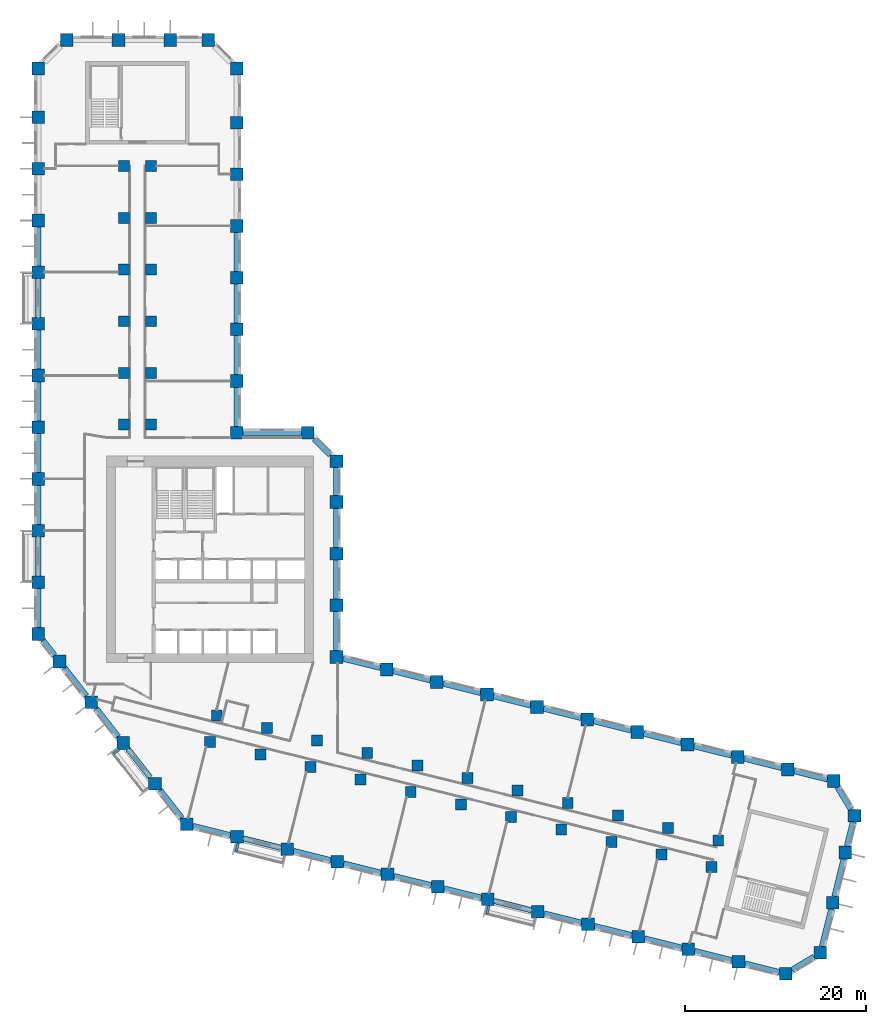
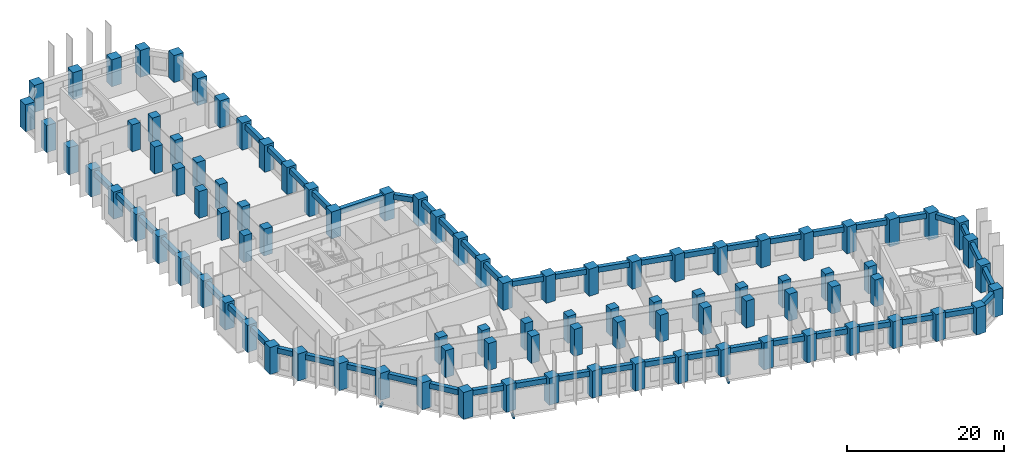
# One storey, part 1 of 12: 95 columns, 53 beams.
"""IFC4 building model written with IfcOpenShell, lengths in metres."""

from ifc_helpers import new_model, si_unit, direction, frame, origin, origin_2d, place, context, subcontext, project, spatial, rectangle, extrude, material, material_profile, profile_set, type_object, element, save


model = new_model("IFC4")

# Units and contexts
model_context = context("Model", 3, precision=1e-05, world=origin(), true_north=direction((0.0, 1.0)))
body_context = subcontext(model_context, "Body", "Model", "MODEL_VIEW")
ifc_project = project(units=[si_unit("LENGTHUNIT", "METRE"), si_unit("AREAUNIT", "SQUARE_METRE"), si_unit("VOLUMEUNIT", "CUBIC_METRE"), si_unit("PLANEANGLEUNIT", "RADIAN"), si_unit("MASSUNIT", "GRAM", prefix="KILO")], contexts=[model_context])

# Site, building, storey
site_placement = place(None, origin())
site = spatial("IfcSite", under=ifc_project, at=site_placement, CompositionType="ELEMENT")
building_placement = place(site_placement, origin())
building = spatial("IfcBuilding", under=site, at=building_placement, Name="Meshkara Civic Tower", CompositionType="ELEMENT")
storey_placement = place(building_placement, frame((0.0, 0.0, 83.39990234375)))
storey = spatial("IfcBuildingStorey", under=building, at=storey_placement, Name="L18", CompositionType="ELEMENT", Elevation=83.39990234375)

# Columns
ifc_material_1 = material(Name="Concrete C80", Category="concrete")
ifc_material_profile_1 = material_profile(ifc_material_1, rectangle(XDim=1.199951171875, YDim=1.199951171875, at=origin_2d()))
ifc_profile_set_1 = profile_set([ifc_material_profile_1], Name="Concrete C80")
column_type_1 = type_object("IfcColumnType", Name="Interior column RC 1200x1200 C80", PredefinedType="COLUMN", material=ifc_profile_set_1)
for number, where, z_axis, x_axis, name in (
    (1, (9.89990234375, 40.35009765625, 0.0), (0.0, 0.0, 1.0), (1.0, 0.0, 0.0), "Column SA1-04 L18"),
    (2, (9.89990234375, 46.050048828125, 0.0), (0.0, 0.0, 1.0), (1.0, 0.0, 0.0), "Column SA1-05 L18"),
    (3, (9.89990234375, 51.75, 0.0), (0.0, 0.0, 1.0), (1.0, 0.0, 0.0), "Column SA1-06 L18"),
    (4, (9.89990234375, 57.449951171875, 0.0), (0.0, 0.0, 1.0), (1.0, 0.0, 0.0), "Column SA1-07 L18"),
    (5, (9.89990234375, 63.14990234375, 0.0), (0.0, 0.0, 1.0), (1.0, 0.0, 0.0), "Column SA1-08 L18"),
    (6, (9.89990234375, 68.85009765625, 0.0), (0.0, 0.0, 1.0), (1.0, 0.0, 0.0), "Column SA1-09 L18"),
    (7, (12.89990234375, 40.35009765625, 0.0), (0.0, 0.0, 1.0), (1.0, 0.0, 0.0), "Column SA2-04 L18"),
    (8, (12.89990234375, 46.050048828125, 0.0), (0.0, 0.0, 1.0), (1.0, 0.0, 0.0), "Column SA2-05 L18"),
    (9, (12.89990234375, 51.75, 0.0), (0.0, 0.0, 1.0), (1.0, 0.0, 0.0), "Column SA2-06 L18"),
    (10, (12.89990234375, 57.449951171875, 0.0), (0.0, 0.0, 1.0), (1.0, 0.0, 0.0), "Column SA2-07 L18"),
    (11, (12.89990234375, 63.14990234375, 0.0), (0.0, 0.0, 1.0), (1.0, 0.0, 0.0), "Column SA2-08 L18"),
    (12, (12.89990234375, 68.85009765625, 0.0), (0.0, 0.0, 1.0), (1.0, 0.0, 0.0), "Column SA2-09 L18"),
    (13, (19.424072265625, 5.360107421875, 0.0), (0.0, 0.0, 1.0), (1.0, 0.0, 0.0), "Column SB1-00 L18"),
    (14, (24.9541015625, 3.98095703125, 0.0), (0.0, 0.0, 1.0), (1.0, 0.0, 0.0), "Column SB1-01 L18"),
    (15, (30.485107421875, 2.60205078125, 0.0), (0.0, 0.0, 1.0), (1.0, 0.0, 0.0), "Column SB1-02 L18"),
    (16, (36.01611328125, 1.222900390625, 0.0), (0.0, 0.0, 1.0), (1.0, 0.0, 0.0), "Column SB1-03 L18"),
    (17, (41.5458984375, -0.156005859375, 0.0), (0.0, 0.0, 1.0), (1.0, 0.0, 0.0), "Column SB1-04 L18"),
    (18, (47.076904296875, -1.534912109375, 0.0), (0.0, 0.0, 1.0), (1.0, 0.0, 0.0), "Column SB1-05 L18"),
    (19, (52.60791015625, -2.9140625, 0.0), (0.0, 0.0, 1.0), (1.0, 0.0, 0.0), "Column SB1-06 L18"),
    (20, (58.138916015625, -4.2919921875, 0.0), (0.0, 0.0, 1.0), (1.0, 0.0, 0.0), "Column SB1-07 L18"),
    (21, (63.6689453125, -5.6708984375, 0.0), (0.0, 0.0, 1.0), (1.0, 0.0, 0.0), "Column SB1-08 L18"),
    (22, (69.199951171875, -7.050048828125, 0.0), (0.0, 0.0, 1.0), (1.0, 0.0, 0.0), "Column SB1-09 L18"),
    (23, (74.73095703125, -8.428955078125, 0.0), (0.0, 0.0, 1.0), (1.0, 0.0, 0.0), "Column SB1-10 L18"),
    (24, (20.14892578125, 8.27099609375, 0.0), (0.0, 0.0, 1.0), (1.0, 0.0, 0.0), "Column SB2-00 L18"),
    (25, (25.679931640625, 6.89208984375, 0.0), (0.0, 0.0, 1.0), (1.0, 0.0, 0.0), "Column SB2-01 L18"),
    (26, (31.2109375, 5.512939453125, 0.0), (0.0, 0.0, 1.0), (1.0, 0.0, 0.0), "Column SB2-02 L18"),
    (27, (36.741943359375, 4.134033203125, 0.0), (0.0, 0.0, 1.0), (1.0, 0.0, 0.0), "Column SB2-03 L18"),
    (28, (42.27197265625, 2.7548828125, 0.0), (0.0, 0.0, 1.0), (1.0, 0.0, 0.0), "Column SB2-04 L18"),
    (29, (47.802978515625, 1.3759765625, 0.0), (0.0, 0.0, 1.0), (1.0, 0.0, 0.0), "Column SB2-05 L18"),
    (30, (53.333984375, -0.0029296875, 0.0), (0.0, 0.0, 1.0), (1.0, 0.0, 0.0), "Column SB2-06 L18"),
    (31, (58.864013671875, -1.382080078125, 0.0), (0.0, 0.0, 1.0), (1.0, 0.0, 0.0), "Column SB2-07 L18"),
    (32, (64.39501953125, -2.760986328125, 0.0), (0.0, 0.0, 1.0), (1.0, 0.0, 0.0), "Column SB2-08 L18"),
    (33, (69.926025390625, -4.139892578125, 0.0), (0.0, 0.0, 1.0), (1.0, 0.0, 0.0), "Column SB2-09 L18"),
    (34, (75.4560546875, -5.51806640625, 0.0), (0.0, 0.0, 1.0), (1.0, 0.0, 0.0), "Column SB2-10 L18"),
):
    element("IfcColumn", number, at=place(storey_placement, frame(where, z_axis=z_axis, x_axis=x_axis)), inside=storey, type_object=column_type_1, Name=name, PredefinedType="COLUMN", context=body_context, shape_type="SweptSolid", body=[
        extrude(rectangle(XDim=1.199951171875, YDim=1.199951171875, at=origin_2d()), origin(), (0.0, 0.0, 1.0), 4.2001953125),
    ])
ifc_material_2 = material(Name="Concrete C80", Category="concrete")
ifc_material_profile_2 = material_profile(ifc_material_2, rectangle(XDim=1.39990234375, YDim=1.39990234375, at=origin_2d()))
ifc_profile_set_2 = profile_set([ifc_material_profile_2], Name="Concrete C80")
column_type_2 = type_object("IfcColumnType", Name="Perimeter column RC 1400x1400 C80", PredefinedType="COLUMN", material=ifc_profile_set_2)
for number, where, z_axis, x_axis, name in (
    (35, (33.35009765625, 14.718994140625, 0.0), (0.0, 0.0, 1.0), (1.0, 0.0, 0.0), "Column HE00 L18"),
    (36, (33.35009765625, 20.4189453125, 0.0), (0.0, 0.0, 1.0), (1.0, 0.0, 0.0), "Column HE01 L18"),
    (37, (33.35009765625, 26.118896484375, 0.0), (0.0, 0.0, 1.0), (1.0, 0.0, 0.0), "Column HE02 L18"),
    (38, (33.35009765625, 31.819091796875, 0.0), (0.0, 0.0, 1.0), (1.0, 0.0, 0.0), "Column HE03 L18"),
    (39, (33.35009765625, 36.2939453125, 0.0), (0.0, 0.0, 1.0), (1.0, 0.0, 0.0), "Column HEE L18"),
    (40, (30.194091796875, 39.449951171875, 0.0), (0.0, 0.0, 1.0), (1.0, 0.0, 0.0), "Column HCeE L18"),
    (41, (22.35009765625, 39.449951171875, 0.0), (0.0, 0.0, 1.0), (1.0, 0.0, 0.0), "Column HN00 L18"),
    (42, (22.35009765625, 45.14990234375, 0.0), (0.0, 0.0, 1.0), (1.0, 0.0, 0.0), "Column AE01 L18"),
    (43, (22.35009765625, 50.85009765625, 0.0), (0.0, 0.0, 1.0), (1.0, 0.0, 0.0), "Column AE02 L18"),
    (44, (22.35009765625, 56.550048828125, 0.0), (0.0, 0.0, 1.0), (1.0, 0.0, 0.0), "Column AE03 L18"),
    (45, (22.35009765625, 62.25, 0.0), (0.0, 0.0, 1.0), (1.0, 0.0, 0.0), "Column AE04 L18"),
    (46, (22.35009765625, 67.949951171875, 0.0), (0.0, 0.0, 1.0), (1.0, 0.0, 0.0), "Column AE05 L18"),
    (47, (22.35009765625, 73.64990234375, 0.0), (0.0, 0.0, 1.0), (1.0, 0.0, 0.0), "Column AE06 L18"),
    (48, (22.35009765625, 79.614013671875, 0.0), (0.0, 0.0, 1.0), (1.0, 0.0, 0.0), "Column AEE L18"),
    (49, (19.194091796875, 82.77001953125, 0.0), (0.0, 0.0, 1.0), (1.0, 0.0, 0.0), "Column ATiE L18"),
    (50, (3.60595703125, 82.77001953125, 0.0), (0.0, 0.0, 1.0), (1.0, 0.0, 0.0), "Column AT00 L18"),
    (51, (9.305908203125, 82.77001953125, 0.0), (0.0, 0.0, 1.0), (1.0, 0.0, 0.0), "Column AT01 L18"),
    (52, (15.006103515625, 82.77001953125, 0.0), (0.0, 0.0, 1.0), (1.0, 0.0, 0.0), "Column AT02 L18"),
    (53, (0.449951171875, 79.614013671875, 0.0), (0.0, 0.0, 1.0), (1.0, 0.0, 0.0), "Column ATo00 L18"),
    (54, (0.449951171875, 17.2548828125, 0.0), (0.0, 0.0, 1.0), (1.0, 0.0, 0.0), "Column AW00 L18"),
    (55, (0.449951171875, 22.955078125, 0.0), (0.0, 0.0, 1.0), (1.0, 0.0, 0.0), "Column AW01 L18"),
    (56, (0.449951171875, 28.655029296875, 0.0), (0.0, 0.0, 1.0), (1.0, 0.0, 0.0), "Column AW02 L18"),
    (57, (0.449951171875, 34.35498046875, 0.0), (0.0, 0.0, 1.0), (1.0, 0.0, 0.0), "Column AW03 L18"),
    (58, (0.449951171875, 40.054931640625, 0.0), (0.0, 0.0, 1.0), (1.0, 0.0, 0.0), "Column AW04 L18"),
    (59, (0.449951171875, 45.7548828125, 0.0), (0.0, 0.0, 1.0), (1.0, 0.0, 0.0), "Column AW05 L18"),
    (60, (0.449951171875, 51.455078125, 0.0), (0.0, 0.0, 1.0), (1.0, 0.0, 0.0), "Column AW06 L18"),
    (61, (0.449951171875, 57.155029296875, 0.0), (0.0, 0.0, 1.0), (1.0, 0.0, 0.0), "Column AW07 L18"),
    (62, (0.449951171875, 62.85498046875, 0.0), (0.0, 0.0, 1.0), (1.0, 0.0, 0.0), "Column AW08 L18"),
    (63, (0.449951171875, 68.554931640625, 0.0), (0.0, 0.0, 1.0), (1.0, 0.0, 0.0), "Column AW09 L18"),
    (64, (0.449951171875, 74.2548828125, 0.0), (0.0, 0.0, 1.0), (1.0, 0.0, 0.0), "Column AW10 L18"),
    (65, (16.85107421875, -3.738037109375, 0.0), (0.0, 0.0, 1.0), (1.0, 0.0, 0.0), "Column BOW00 L18"),
    (66, (13.342041015625, 0.75390625, 0.0), (0.0, 0.0, 1.0), (1.0, 0.0, 0.0), "Column BOW01 L18"),
    (67, (9.8330078125, 5.2451171875, 0.0), (0.0, 0.0, 1.0), (1.0, 0.0, 0.0), "Column BOW02 L18"),
    (68, (6.322998046875, 9.737060546875, 0.0), (0.0, 0.0, 1.0), (1.0, 0.0, 0.0), "Column BOW03 L18"),
    (69, (2.81396484375, 14.22900390625, 0.0), (0.0, 0.0, 1.0), (1.0, 0.0, 0.0), "Column BOW04 L18"),
    (70, (22.382080078125, -5.116943359375, 0.0), (0.0, 0.0, 1.0), (1.0, 0.0, 0.0), "Column BS01 L18"),
    (71, (27.912109375, -6.49609375, 0.0), (0.0, 0.0, 1.0), (1.0, 0.0, 0.0), "Column BS02 L18"),
    (72, (33.443115234375, -7.875, 0.0), (0.0, 0.0, 1.0), (1.0, 0.0, 0.0), "Column BS03 L18"),
    (73, (38.97412109375, -9.25390625, 0.0), (0.0, 0.0, 1.0), (1.0, 0.0, 0.0), "Column BS04 L18"),
    (74, (44.5048828125, -10.632080078125, 0.0), (0.0, 0.0, 1.0), (1.0, 0.0, 0.0), "Column BS05 L18"),
    (75, (50.034912109375, -12.010986328125, 0.0), (0.0, 0.0, 1.0), (1.0, 0.0, 0.0), "Column BS06 L18"),
    (76, (55.56591796875, -13.389892578125, 0.0), (0.0, 0.0, 1.0), (1.0, 0.0, 0.0), "Column BS07 L18"),
    (77, (61.096923828125, -14.76904296875, 0.0), (0.0, 0.0, 1.0), (1.0, 0.0, 0.0), "Column BS08 L18"),
    (78, (66.626953125, -16.14794921875, 0.0), (0.0, 0.0, 1.0), (1.0, 0.0, 0.0), "Column BS09 L18"),
    (79, (72.157958984375, -17.527099609375, 0.0), (0.0, 0.0, 1.0), (1.0, 0.0, 0.0), "Column BS10 L18"),
    (80, (77.68896484375, -18.906005859375, 0.0), (0.0, 0.0, 1.0), (1.0, 0.0, 0.0), "Column BS11 L18"),
    (81, (82.887939453125, -20.201904296875, 0.0), (0.0, 0.0, 1.0), (1.0, 0.0, 0.0), "Column BSE L18"),
    (82, (86.714111328125, -17.903076171875, 0.0), (0.0, 0.0, 1.0), (1.0, 0.0, 0.0), "Column BToE L18"),
    (83, (88.093017578125, -12.3720703125, 0.0), (0.0, 0.0, 1.0), (1.0, 0.0, 0.0), "Column BT01 L18"),
    (84, (89.471923828125, -6.842041015625, 0.0), (0.0, 0.0, 1.0), (1.0, 0.0, 0.0), "Column BT02 L18"),
    (85, (90.485107421875, -2.779052734375, 0.0), (0.0, 0.0, 1.0), (1.0, 0.0, 0.0), "Column BTE L18"),
    (86, (88.18603515625, 1.0458984375, 0.0), (0.0, 0.0, 1.0), (1.0, 0.0, 0.0), "Column BTi00 L18"),
    (87, (38.881103515625, 13.340087890625, 0.0), (0.0, 0.0, 1.0), (1.0, 0.0, 0.0), "Column BN01 L18"),
    (88, (44.410888671875, 11.9609375, 0.0), (0.0, 0.0, 1.0), (1.0, 0.0, 0.0), "Column BN02 L18"),
    (89, (49.94189453125, 10.58203125, 0.0), (0.0, 0.0, 1.0), (1.0, 0.0, 0.0), "Column BN03 L18"),
    (90, (55.472900390625, 9.202880859375, 0.0), (0.0, 0.0, 1.0), (1.0, 0.0, 0.0), "Column BN04 L18"),
    (91, (61.0029296875, 7.823974609375, 0.0), (0.0, 0.0, 1.0), (1.0, 0.0, 0.0), "Column BN05 L18"),
    (92, (66.533935546875, 6.445068359375, 0.0), (0.0, 0.0, 1.0), (1.0, 0.0, 0.0), "Column BN06 L18"),
    (93, (72.06494140625, 5.06591796875, 0.0), (0.0, 0.0, 1.0), (1.0, 0.0, 0.0), "Column BN07 L18"),
    (94, (77.594970703125, 3.68701171875, 0.0), (0.0, 0.0, 1.0), (1.0, 0.0, 0.0), "Column BN08 L18"),
    (95, (83.1259765625, 2.30810546875, 0.0), (0.0, 0.0, 1.0), (1.0, 0.0, 0.0), "Column BN09 L18"),
):
    element("IfcColumn", number, at=place(storey_placement, frame(where, z_axis=z_axis, x_axis=x_axis)), inside=storey, type_object=column_type_2, Name=name, PredefinedType="COLUMN", context=body_context, shape_type="SweptSolid", body=[
        extrude(rectangle(XDim=1.39990234375, YDim=1.39990234375, at=origin_2d()), origin(), (0.0, 0.0, 1.0), 4.2001953125),
    ])

# Beams
ifc_material_3 = material(Name="Concrete C50", Category="concrete")
ifc_material_profile_3 = material_profile(ifc_material_3, rectangle(XDim=0.25, YDim=0.39990234375, at=origin_2d()))
ifc_profile_set_3 = profile_set([ifc_material_profile_3], Name="Concrete C50")
beam_type_1 = type_object("IfcBeamType", Name="Balcony bracket beam RC 250x400 C50", PredefinedType="BEAM", material=ifc_profile_set_3)
beam_1_placement = place(storey_placement, frame((9.427978515625, 4.548095703125, -0.5), z_axis=(-0.787825958224, -0.615897929488, 0.0), x_axis=(0.615897929488, -0.787825958224, 0.0)))
element("IfcBeam", 96, at=beam_1_placement, inside=storey, type_object=beam_type_1, Name="Balcony bracket beam", PredefinedType="BEAM", context=body_context, shape_type="SweptSolid", body=[
    extrude(rectangle(XDim=0.25, YDim=0.39990234375, at=origin_2d()), origin(), (0.0, 0.0, 1.0), 0.80224609375),
])
beam_2_placement = place(storey_placement, frame((22.51806640625, -5.81201171875, -0.5), z_axis=(-0.24221933698, -0.970221517383, 0.0), x_axis=(0.970221517383, -0.24221933698, 0.0)))
element("IfcBeam", 97, at=beam_2_placement, inside=storey, type_object=beam_type_1, Name="Balcony bracket beam", PredefinedType="BEAM", context=body_context, shape_type="SweptSolid", body=[
    extrude(rectangle(XDim=0.25, YDim=0.39990234375, at=origin_2d()), origin(), (0.0, 0.0, 1.0), 0.908203125),
])
beam_3_placement = place(storey_placement, frame((50.1708984375, -12.7060546875, -0.5), z_axis=(-0.242029947494, -0.970268779522, 0.0), x_axis=(0.970268779522, -0.242029947494, 0.0)))
element("IfcBeam", 98, at=beam_3_placement, inside=storey, type_object=beam_type_1, Name="Balcony bracket beam", PredefinedType="BEAM", context=body_context, shape_type="SweptSolid", body=[
    extrude(rectangle(XDim=0.25, YDim=0.39990234375, at=origin_2d()), origin(), (0.0, 0.0, 1.0), 0.908935546875),
])
ifc_material_4 = material(Name="Concrete C70", Category="concrete")
ifc_material_profile_4 = material_profile(ifc_material_4, rectangle(XDim=0.60009765625, YDim=0.800048828125, at=origin_2d()))
ifc_profile_set_4 = profile_set([ifc_material_profile_4], Name="Concrete C70")
beam_type_2 = type_object("IfcBeamType", Name="Spandrel beam RC 600x800 C70", PredefinedType="BEAM", material=ifc_profile_set_4)
beam_4_placement = place(storey_placement, frame((82.430908203125, 2.481201171875, 3.5), z_axis=(-0.97029374225, 0.241929852955, 0.0), x_axis=(-0.241929852955, -0.97029374225, 0.0)))
element("IfcBeam", 99, at=beam_4_placement, inside=storey, type_object=beam_type_2, Name="Spandrel beam BN08-BN09", PredefinedType="BEAM", context=body_context, shape_type="SweptSolid", body=[
    extrude(rectangle(XDim=0.60009765625, YDim=0.800048828125, at=origin_2d()), origin(), (0.0, 0.0, 1.0), 4.267578125),
])
beam_5_placement = place(storey_placement, frame((76.89990234375, 3.8603515625, 3.5), z_axis=(-0.970293777887, 0.241929710026, 0.0), x_axis=(-0.241929710026, -0.970293777887, 0.0)))
element("IfcBeam", 100, at=beam_5_placement, inside=storey, type_object=beam_type_2, Name="Spandrel beam BN07-BN08", PredefinedType="BEAM", context=body_context, shape_type="SweptSolid", body=[
    extrude(rectangle(XDim=0.60009765625, YDim=0.800048828125, at=origin_2d()), origin(), (0.0, 0.0, 1.0), 4.2666015625),
])
for number, where, z_axis, x_axis, name in (
    (101, (71.369873046875, 5.2392578125, 3.5), (-0.97029374225, 0.241929852955, 0.0), (-0.241929852955, -0.97029374225, 0.0), "Spandrel beam BN06-BN07"),
    (102, (65.8388671875, 6.618408203125, 3.5), (-0.970307169965, 0.241875992843, 0.0), (-0.241875992843, -0.970307169965, 0.0), "Spandrel beam BN05-BN06"),
):
    element("IfcBeam", number, at=place(storey_placement, frame(where, z_axis=z_axis, x_axis=x_axis)), inside=storey, type_object=beam_type_2, Name=name, PredefinedType="BEAM", context=body_context, shape_type="SweptSolid", body=[
        extrude(rectangle(XDim=0.60009765625, YDim=0.800048828125, at=origin_2d()), origin(), (0.0, 0.0, 1.0), 4.267578125),
    ])
beam_6_placement = place(storey_placement, frame((60.307861328125, 7.997314453125, 3.5), z_axis=(-0.970276993533, 0.241997016139, 0.0), x_axis=(-0.241997016139, -0.970276993533, 0.0)))
element("IfcBeam", 103, at=beam_6_placement, inside=storey, type_object=beam_type_2, Name="Spandrel beam BN04-BN05", PredefinedType="BEAM", context=body_context, shape_type="SweptSolid", body=[
    extrude(rectangle(XDim=0.60009765625, YDim=0.800048828125, at=origin_2d()), origin(), (0.0, 0.0, 1.0), 4.266357421875),
])
for number, where, z_axis, x_axis, name in (
    (104, (54.77783203125, 9.376220703125, 3.5), (-0.970290393622, 0.241943282702, 0.0), (-0.241943282702, -0.970290393622, 0.0), "Spandrel beam BN03-BN04"),
    (105, (49.246826171875, 10.75537109375, 3.5), (-0.970303822782, 0.241889419972, 0.0), (-0.241889419972, -0.970303822782, 0.0), "Spandrel beam BN02-BN03"),
):
    element("IfcBeam", number, at=place(storey_placement, frame(where, z_axis=z_axis, x_axis=x_axis)), inside=storey, type_object=beam_type_2, Name=name, PredefinedType="BEAM", context=body_context, shape_type="SweptSolid", body=[
        extrude(rectangle(XDim=0.60009765625, YDim=0.800048828125, at=origin_2d()), origin(), (0.0, 0.0, 1.0), 4.267333984375),
    ])
beam_7_placement = place(storey_placement, frame((43.7158203125, 12.13427734375, 3.5), z_axis=(-0.970276993533, 0.241997016139, 0.0), x_axis=(-0.241997016139, -0.970276993533, 0.0)))
element("IfcBeam", 106, at=beam_7_placement, inside=storey, type_object=beam_type_2, Name="Spandrel beam BN01-BN02", PredefinedType="BEAM", context=body_context, shape_type="SweptSolid", body=[
    extrude(rectangle(XDim=0.60009765625, YDim=0.800048828125, at=origin_2d()), origin(), (0.0, 0.0, 1.0), 4.266357421875),
])
beam_8_placement = place(storey_placement, frame((38.185791015625, 13.51318359375, 3.5), z_axis=(-0.970290393622, 0.241943282702, 0.0), x_axis=(-0.241943282702, -0.970290393622, 0.0)))
element("IfcBeam", 107, at=beam_8_placement, inside=storey, type_object=beam_type_2, Name="Spandrel beam BN01-HE00", PredefinedType="BEAM", context=body_context, shape_type="SweptSolid", body=[
    extrude(rectangle(XDim=0.60009765625, YDim=0.800048828125, at=origin_2d()), origin(), (0.0, 0.0, 1.0), 4.267333984375),
])
for number, where, z_axis, x_axis, name in (
    (108, (33.35009765625, 15.4140625, 3.5), (0.0, 1.0, 0.0), (-1.0, 0.0, 0.0), "Spandrel beam HE00-HE01"),
    (109, (33.35009765625, 21.114013671875, 3.5), (0.0, 1.0, 0.0), (-1.0, 0.0, 0.0), "Spandrel beam HE01-HE02"),
    (110, (33.35009765625, 26.81396484375, 3.5), (0.0, 1.0, 0.0), (-1.0, 0.0, 0.0), "Spandrel beam HE02-HE03"),
):
    element("IfcBeam", number, at=place(storey_placement, frame(where, z_axis=z_axis, x_axis=x_axis)), inside=storey, type_object=beam_type_2, Name=name, PredefinedType="BEAM", context=body_context, shape_type="SweptSolid", body=[
        extrude(rectangle(XDim=0.60009765625, YDim=0.800048828125, at=origin_2d()), origin(), (0.0, 0.0, 1.0), 4.31005859375),
    ])
beam_9_placement = place(storey_placement, frame((33.35009765625, 32.513916015625, 3.5), z_axis=(0.0, 1.0, 0.0), x_axis=(-1.0, 0.0, 0.0)))
element("IfcBeam", 111, at=beam_9_placement, inside=storey, type_object=beam_type_2, Name="Spandrel beam HE03-HEE", PredefinedType="BEAM", context=body_context, shape_type="SweptSolid", body=[
    extrude(rectangle(XDim=0.60009765625, YDim=0.800048828125, at=origin_2d()), origin(), (0.0, 0.0, 1.0), 3.085205078125),
])
beam_10_placement = place(storey_placement, frame((32.653564453125, 36.990478515625, 3.5), z_axis=(-0.707155737934, 0.70705782105, 0.0), x_axis=(-0.70705782105, -0.707155737934, 0.0)))
element("IfcBeam", 112, at=beam_10_placement, inside=storey, type_object=beam_type_2, Name="Spandrel beam HCeE-HEE", PredefinedType="BEAM", context=body_context, shape_type="SweptSolid", body=[
    extrude(rectangle(XDim=0.60009765625, YDim=0.800048828125, at=origin_2d()), origin(), (0.0, 0.0, 1.0), 2.493408203125),
])
beam_11_placement = place(storey_placement, frame((29.4990234375, 39.449951171875, 3.5), z_axis=(-1.0, 0.0, 0.0), x_axis=(0.0, -1.0, 0.0)))
element("IfcBeam", 113, at=beam_11_placement, inside=storey, type_object=beam_type_2, Name="Spandrel beam HCeE-HN00", PredefinedType="BEAM", context=body_context, shape_type="SweptSolid", body=[
    extrude(rectangle(XDim=0.60009765625, YDim=0.800048828125, at=origin_2d()), origin(), (0.0, 0.0, 1.0), 6.4541015625),
])
for number, where, z_axis, x_axis, name in (
    (114, (22.35009765625, 40.14501953125, 3.5), (0.0, 1.0, 0.0), (-1.0, 0.0, 0.0), "Spandrel beam AE01-HN00"),
    (115, (22.35009765625, 45.844970703125, 3.5), (0.0, 1.0, 0.0), (-1.0, 0.0, 0.0), "Spandrel beam AE01-AE02"),
    (116, (22.35009765625, 51.544921875, 3.5), (0.0, 1.0, 0.0), (-1.0, 0.0, 0.0), "Spandrel beam AE02-AE03"),
):
    element("IfcBeam", number, at=place(storey_placement, frame(where, z_axis=z_axis, x_axis=x_axis)), inside=storey, type_object=beam_type_2, Name=name, PredefinedType="BEAM", context=body_context, shape_type="SweptSolid", body=[
        extrude(rectangle(XDim=0.60009765625, YDim=0.800048828125, at=origin_2d()), origin(), (0.0, 0.0, 1.0), 4.31005859375),
    ])
for number, where, z_axis, x_axis, name in (
    (117, (22.35009765625, 57.2451171875, 3.5), (0.0, 1.0, 0.0), (-1.0, 0.0, 0.0), "Spandrel beam AE03-AE04"),
    (118, (0.449951171875, 62.159912109375, 3.5), (0.0, -1.0, 0.0), (1.0, 0.0, 0.0), "Spandrel beam AW07-AW08"),
):
    element("IfcBeam", number, at=place(storey_placement, frame(where, z_axis=z_axis, x_axis=x_axis)), inside=storey, type_object=beam_type_2, Name=name, PredefinedType="BEAM", context=body_context, shape_type="SweptSolid", body=[
        extrude(rectangle(XDim=0.60009765625, YDim=0.800048828125, at=origin_2d()), origin(), (0.0, 0.0, 1.0), 4.309814453125),
    ])
for number, where, z_axis, x_axis, name in (
    (119, (0.449951171875, 56.4599609375, 3.5), (0.0, -1.0, 0.0), (1.0, 0.0, 0.0), "Spandrel beam AW06-AW07"),
    (120, (0.449951171875, 50.760009765625, 3.5), (0.0, -1.0, 0.0), (1.0, 0.0, 0.0), "Spandrel beam AW05-AW06"),
    (121, (0.449951171875, 45.06005859375, 3.5), (0.0, -1.0, 0.0), (1.0, 0.0, 0.0), "Spandrel beam AW04-AW05"),
    (122, (0.449951171875, 39.360107421875, 3.5), (0.0, -1.0, 0.0), (1.0, 0.0, 0.0), "Spandrel beam AW03-AW04"),
):
    element("IfcBeam", number, at=place(storey_placement, frame(where, z_axis=z_axis, x_axis=x_axis)), inside=storey, type_object=beam_type_2, Name=name, PredefinedType="BEAM", context=body_context, shape_type="SweptSolid", body=[
        extrude(rectangle(XDim=0.60009765625, YDim=0.800048828125, at=origin_2d()), origin(), (0.0, 0.0, 1.0), 4.31005859375),
    ])
beam_12_placement = place(storey_placement, frame((0.449951171875, 33.659912109375, 3.5), z_axis=(0.0, -1.0, 0.0), x_axis=(1.0, 0.0, 0.0)))
element("IfcBeam", 123, at=beam_12_placement, inside=storey, type_object=beam_type_2, Name="Spandrel beam AW02-AW03", PredefinedType="BEAM", context=body_context, shape_type="SweptSolid", body=[
    extrude(rectangle(XDim=0.60009765625, YDim=0.800048828125, at=origin_2d()), origin(), (0.0, 0.0, 1.0), 4.309814453125),
])
for number, where, z_axis, x_axis, name in (
    (124, (0.449951171875, 27.9599609375, 3.5), (0.0, -1.0, 0.0), (1.0, 0.0, 0.0), "Spandrel beam AW01-AW02"),
    (125, (0.449951171875, 22.260009765625, 3.5), (0.0, -1.0, 0.0), (1.0, 0.0, 0.0), "Spandrel beam AW00-AW01"),
):
    element("IfcBeam", number, at=place(storey_placement, frame(where, z_axis=z_axis, x_axis=x_axis)), inside=storey, type_object=beam_type_2, Name=name, PredefinedType="BEAM", context=body_context, shape_type="SweptSolid", body=[
        extrude(rectangle(XDim=0.60009765625, YDim=0.800048828125, at=origin_2d()), origin(), (0.0, 0.0, 1.0), 4.31005859375),
    ])
beam_13_placement = place(storey_placement, frame((0.993896484375, 16.558837890625, 3.5), z_axis=(0.615634901283, -0.788031514803, 0.0), x_axis=(0.788031514803, 0.615634901283, 0.0)))
element("IfcBeam", 126, at=beam_13_placement, inside=storey, type_object=beam_type_2, Name="Spandrel beam AW00-BOW04", PredefinedType="BEAM", context=body_context, shape_type="SweptSolid", body=[
    extrude(rectangle(XDim=0.60009765625, YDim=0.800048828125, at=origin_2d()), origin(), (0.0, 0.0, 1.0), 2.0732421875),
])
beam_14_placement = place(storey_placement, frame((3.357666015625, 13.532958984375, 3.5), z_axis=(0.615623566685, -0.788040369614, 0.0), x_axis=(0.788040369614, 0.615623566685, 0.0)))
element("IfcBeam", 127, at=beam_14_placement, inside=storey, type_object=beam_type_2, Name="Spandrel beam BOW03-BOW04", PredefinedType="BEAM", context=body_context, shape_type="SweptSolid", body=[
    extrude(rectangle(XDim=0.60009765625, YDim=0.800048828125, at=origin_2d()), origin(), (0.0, 0.0, 1.0), 3.93359375),
])
beam_15_placement = place(storey_placement, frame((6.866943359375, 9.041015625, 3.5), z_axis=(0.61570064363, -0.787980150406, 0.0), x_axis=(0.787980150406, 0.61570064363, 0.0)))
element("IfcBeam", 128, at=beam_15_placement, inside=storey, type_object=beam_type_2, Name="Spandrel beam BOW02-BOW03", PredefinedType="BEAM", context=body_context, shape_type="SweptSolid", body=[
    extrude(rectangle(XDim=0.60009765625, YDim=0.800048828125, at=origin_2d()), origin(), (0.0, 0.0, 1.0), 3.933837890625),
])
beam_16_placement = place(storey_placement, frame((10.376953125, 4.548828125, 3.5), z_axis=(0.615697051917, -0.787982956834, 0.0), x_axis=(0.787982956834, 0.615697051917, 0.0)))
element("IfcBeam", 129, at=beam_16_placement, inside=storey, type_object=beam_type_2, Name="Spandrel beam BOW01-BOW02", PredefinedType="BEAM", context=body_context, shape_type="SweptSolid", body=[
    extrude(rectangle(XDim=0.60009765625, YDim=0.800048828125, at=origin_2d()), origin(), (0.0, 0.0, 1.0), 3.932373046875),
])
beam_17_placement = place(storey_placement, frame((13.8857421875, 0.057861328125, 3.5), z_axis=(0.615623566685, -0.788040369614, 0.0), x_axis=(0.788040369614, 0.615623566685, 0.0)))
element("IfcBeam", 130, at=beam_17_placement, inside=storey, type_object=beam_type_2, Name="Spandrel beam BOW00-BOW01", PredefinedType="BEAM", context=body_context, shape_type="SweptSolid", body=[
    extrude(rectangle(XDim=0.60009765625, YDim=0.800048828125, at=origin_2d()), origin(), (0.0, 0.0, 1.0), 3.93359375),
])
beam_18_placement = place(storey_placement, frame((17.546142578125, -3.911376953125, 3.5), z_axis=(0.970307169965, -0.241875992843, 0.0), x_axis=(0.241875992843, 0.970307169965, 0.0)))
element("IfcBeam", 131, at=beam_18_placement, inside=storey, type_object=beam_type_2, Name="Spandrel beam BOW00-BS01", PredefinedType="BEAM", context=body_context, shape_type="SweptSolid", body=[
    extrude(rectangle(XDim=0.60009765625, YDim=0.800048828125, at=origin_2d()), origin(), (0.0, 0.0, 1.0), 4.267578125),
])
beam_19_placement = place(storey_placement, frame((23.0771484375, -5.290283203125, 3.5), z_axis=(0.970276993533, -0.241997016139, 0.0), x_axis=(0.241997016139, 0.970276993533, 0.0)))
element("IfcBeam", 132, at=beam_19_placement, inside=storey, type_object=beam_type_2, Name="Spandrel beam BS01-BS02", PredefinedType="BEAM", context=body_context, shape_type="SweptSolid", body=[
    extrude(rectangle(XDim=0.60009765625, YDim=0.800048828125, at=origin_2d()), origin(), (0.0, 0.0, 1.0), 4.266357421875),
])
for number, where, z_axis, x_axis, name in (
    (133, (28.607177734375, -6.669189453125, 3.5), (0.970290393622, -0.241943282702, 0.0), (0.241943282702, 0.970290393622, 0.0), "Spandrel beam BS02-BS03"),
    (134, (34.13818359375, -8.04833984375, 3.5), (0.970290393622, -0.241943282702, 0.0), (0.241943282702, 0.970290393622, 0.0), "Spandrel beam BS03-BS04"),
):
    element("IfcBeam", number, at=place(storey_placement, frame(where, z_axis=z_axis, x_axis=x_axis)), inside=storey, type_object=beam_type_2, Name=name, PredefinedType="BEAM", context=body_context, shape_type="SweptSolid", body=[
        extrude(rectangle(XDim=0.60009765625, YDim=0.800048828125, at=origin_2d()), origin(), (0.0, 0.0, 1.0), 4.267333984375),
    ])
beam_20_placement = place(storey_placement, frame((39.669189453125, -9.42724609375, 3.5), z_axis=(0.97034409455, -0.241727818365, 0.0), x_axis=(0.241727818365, 0.97034409455, 0.0)))
element("IfcBeam", 135, at=beam_20_placement, inside=storey, type_object=beam_type_2, Name="Spandrel beam BS04-BS05", PredefinedType="BEAM", context=body_context, shape_type="SweptSolid", body=[
    extrude(rectangle(XDim=0.60009765625, YDim=0.800048828125, at=origin_2d()), origin(), (0.0, 0.0, 1.0), 4.26708984375),
])
beam_21_placement = place(storey_placement, frame((45.2001953125, -10.805419921875, 3.5), z_axis=(0.970290428474, -0.241943142934, 0.0), x_axis=(0.241943142934, 0.970290428474, 0.0)))
element("IfcBeam", 136, at=beam_21_placement, inside=storey, type_object=beam_type_2, Name="Spandrel beam BS05-BS06", PredefinedType="BEAM", context=body_context, shape_type="SweptSolid", body=[
    extrude(rectangle(XDim=0.60009765625, YDim=0.800048828125, at=origin_2d()), origin(), (0.0, 0.0, 1.0), 4.266357421875),
])
for number, where, z_axis, x_axis, name in (
    (137, (50.72998046875, -12.184326171875, 3.5), (0.97029374225, -0.241929852955, 0.0), (0.241929852955, 0.97029374225, 0.0), "Spandrel beam BS06-BS07"),
    (138, (56.260986328125, -13.563232421875, 3.5), (0.97029374225, -0.241929852955, 0.0), (0.241929852955, 0.97029374225, 0.0), "Spandrel beam BS07-BS08"),
):
    element("IfcBeam", number, at=place(storey_placement, frame(where, z_axis=z_axis, x_axis=x_axis)), inside=storey, type_object=beam_type_2, Name=name, PredefinedType="BEAM", context=body_context, shape_type="SweptSolid", body=[
        extrude(rectangle(XDim=0.60009765625, YDim=0.800048828125, at=origin_2d()), origin(), (0.0, 0.0, 1.0), 4.267578125),
    ])
beam_22_placement = place(storey_placement, frame((61.7919921875, -14.9423828125, 3.5), z_axis=(0.970293777887, -0.241929710026, 0.0), x_axis=(0.241929710026, 0.970293777887, 0.0)))
element("IfcBeam", 139, at=beam_22_placement, inside=storey, type_object=beam_type_2, Name="Spandrel beam BS08-BS09", PredefinedType="BEAM", context=body_context, shape_type="SweptSolid", body=[
    extrude(rectangle(XDim=0.60009765625, YDim=0.800048828125, at=origin_2d()), origin(), (0.0, 0.0, 1.0), 4.2666015625),
])
for number, where, z_axis, x_axis, name in (
    (140, (67.322021484375, -16.3212890625, 3.5), (0.97029374225, -0.241929852955, 0.0), (0.241929852955, 0.97029374225, 0.0), "Spandrel beam BS09-BS10"),
    (141, (72.85302734375, -17.7001953125, 3.5), (0.97029374225, -0.241929852955, 0.0), (0.241929852955, 0.97029374225, 0.0), "Spandrel beam BS10-BS11"),
):
    element("IfcBeam", number, at=place(storey_placement, frame(where, z_axis=z_axis, x_axis=x_axis)), inside=storey, type_object=beam_type_2, Name=name, PredefinedType="BEAM", context=body_context, shape_type="SweptSolid", body=[
        extrude(rectangle(XDim=0.60009765625, YDim=0.800048828125, at=origin_2d()), origin(), (0.0, 0.0, 1.0), 4.267578125),
    ])
beam_23_placement = place(storey_placement, frame((78.384033203125, -19.079345703125, 3.5), z_axis=(0.970306910921, -0.241877032022, 0.0), x_axis=(0.241877032022, 0.970306910921, 0.0)))
element("IfcBeam", 142, at=beam_23_placement, inside=storey, type_object=beam_type_2, Name="Spandrel beam BS11-BSE", PredefinedType="BEAM", context=body_context, shape_type="SweptSolid", body=[
    extrude(rectangle(XDim=0.60009765625, YDim=0.800048828125, at=origin_2d()), origin(), (0.0, 0.0, 1.0), 3.92529296875),
])
beam_24_placement = place(storey_placement, frame((83.583740234375, -19.783935546875, 3.5), z_axis=(0.857159031547, 0.515051836846, 0.0), x_axis=(-0.515051836846, 0.857159031547, 0.0)))
element("IfcBeam", 143, at=beam_24_placement, inside=storey, type_object=beam_type_2, Name="Spandrel beam BSE-BToE", PredefinedType="BEAM", context=body_context, shape_type="SweptSolid", body=[
    extrude(rectangle(XDim=0.60009765625, YDim=0.800048828125, at=origin_2d()), origin(), (0.0, 0.0, 1.0), 2.84033203125),
])
beam_25_placement = place(storey_placement, frame((86.88720703125, -17.2080078125, 3.5), z_axis=(0.241929852955, 0.97029374225, 0.0), x_axis=(-0.97029374225, 0.241929852955, 0.0)))
element("IfcBeam", 144, at=beam_25_placement, inside=storey, type_object=beam_type_2, Name="Spandrel beam BT01-BToE", PredefinedType="BEAM", context=body_context, shape_type="SweptSolid", body=[
    extrude(rectangle(XDim=0.60009765625, YDim=0.800048828125, at=origin_2d()), origin(), (0.0, 0.0, 1.0), 4.267578125),
])
beam_26_placement = place(storey_placement, frame((88.266357421875, -11.677001953125, 3.5), z_axis=(0.241929710026, 0.970293777887, 0.0), x_axis=(-0.970293777887, 0.241929710026, 0.0)))
element("IfcBeam", 145, at=beam_26_placement, inside=storey, type_object=beam_type_2, Name="Spandrel beam BT01-BT02", PredefinedType="BEAM", context=body_context, shape_type="SweptSolid", body=[
    extrude(rectangle(XDim=0.60009765625, YDim=0.800048828125, at=origin_2d()), origin(), (0.0, 0.0, 1.0), 4.2666015625),
])
beam_27_placement = place(storey_placement, frame((89.645263671875, -6.14697265625, 3.5), z_axis=(0.241951685637, 0.9702882983, 0.0), x_axis=(-0.9702882983, 0.241951685637, 0.0)))
element("IfcBeam", 146, at=beam_27_placement, inside=storey, type_object=beam_type_2, Name="Spandrel beam BT02-BTE", PredefinedType="BEAM", context=body_context, shape_type="SweptSolid", body=[
    extrude(rectangle(XDim=0.60009765625, YDim=0.800048828125, at=origin_2d()), origin(), (0.0, 0.0, 1.0), 2.754638671875),
])
beam_28_placement = place(storey_placement, frame((90.06689453125, -2.083251953125, 3.5), z_axis=(-0.515140502895, 0.85710574743, 0.0), x_axis=(-0.85710574743, -0.515140502895, 0.0)))
element("IfcBeam", 147, at=beam_28_placement, inside=storey, type_object=beam_type_2, Name="Spandrel beam BTE-BTi00", PredefinedType="BEAM", context=body_context, shape_type="SweptSolid", body=[
    extrude(rectangle(XDim=0.60009765625, YDim=0.800048828125, at=origin_2d()), origin(), (0.0, 0.0, 1.0), 2.83935546875),
])
beam_29_placement = place(storey_placement, frame((87.490966796875, 1.219482421875, 3.5), z_axis=(-0.97029418893, 0.241928061476, 0.0), x_axis=(-0.241928061476, -0.97029418893, 0.0)))
element("IfcBeam", 148, at=beam_29_placement, inside=storey, type_object=beam_type_2, Name="Spandrel beam BN09-BTi00", PredefinedType="BEAM", context=body_context, shape_type="SweptSolid", body=[
    extrude(rectangle(XDim=0.60009765625, YDim=0.800048828125, at=origin_2d()), origin(), (0.0, 0.0, 1.0), 3.7822265625),
])

save(model, "model.ifc")
